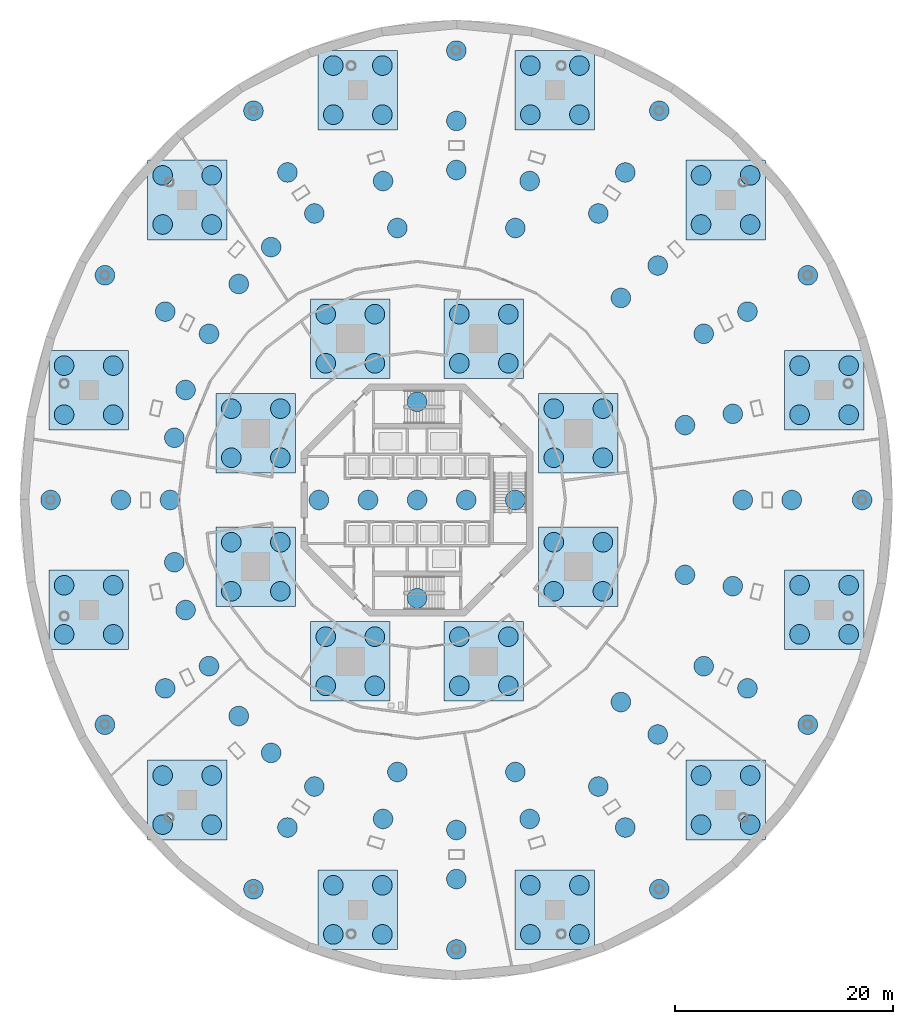
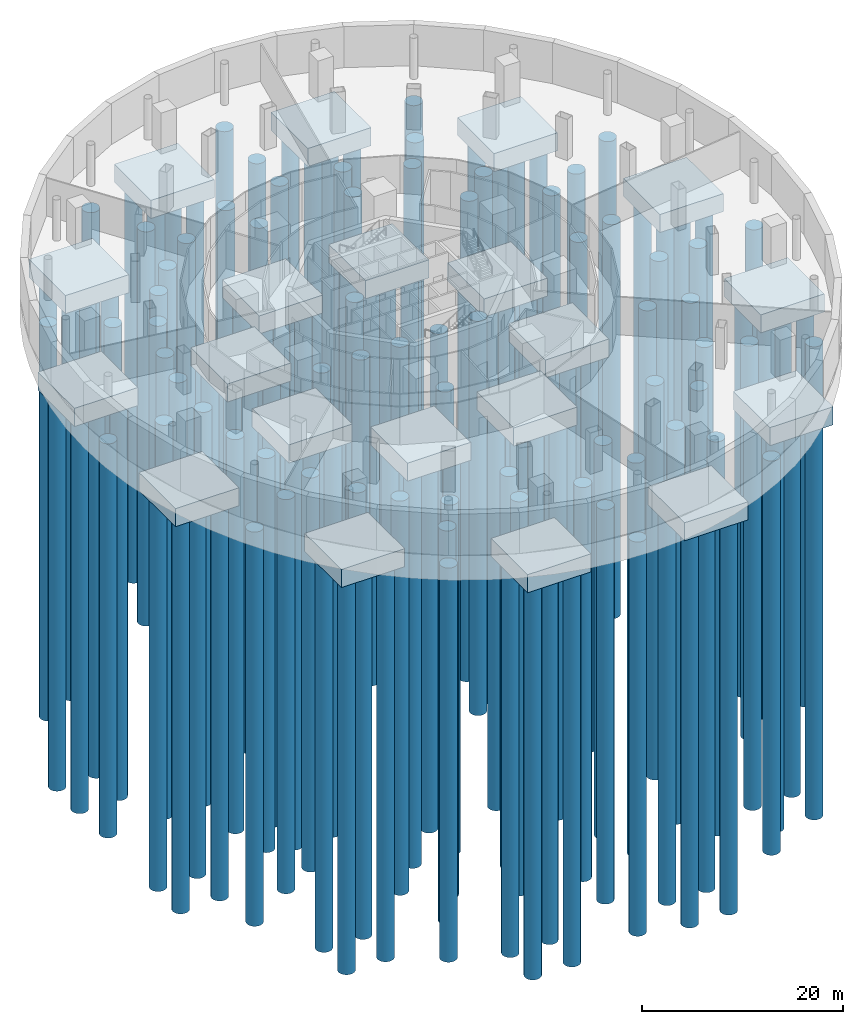
# One storey, part 1 of 14: 147 piles, 20 footings.
"""IFC4 building model written with IfcOpenShell, lengths in metres."""

from ifc_helpers import new_model, si_unit, direction, frame, origin, origin_2d, place, context, subcontext, project, spatial, rectangle, circle, extrude, material, material_profile, profile_set, type_object, element, save


model = new_model("IFC4")

# Units and contexts
model_context = context("Model", 3, precision=1e-05, world=origin(), true_north=direction((0.0, 1.0)))
body_context = subcontext(model_context, "Body", "Model", "MODEL_VIEW")
ifc_project = project(units=[si_unit("LENGTHUNIT", "METRE"), si_unit("AREAUNIT", "SQUARE_METRE"), si_unit("VOLUMEUNIT", "CUBIC_METRE"), si_unit("PLANEANGLEUNIT", "RADIAN"), si_unit("MASSUNIT", "GRAM", prefix="KILO")], contexts=[model_context])

# Site, building, storey
site_placement = place(None, origin())
site = spatial("IfcSite", under=ifc_project, at=site_placement, CompositionType="ELEMENT")
building_placement = place(site_placement, origin())
building = spatial("IfcBuilding", under=site, at=building_placement, Name="Nagisa Residences", CompositionType="ELEMENT")
storey_placement = place(building_placement, frame((0.0, 0.0, -10.0)))
storey = spatial("IfcBuildingStorey", under=building, at=storey_placement, Name="B2", CompositionType="ELEMENT", Elevation=-10.0)

# Piles
ifc_material_1 = material(Name="Concrete C40", Category="concrete")
ifc_material_profile = material_profile(ifc_material_1, circle(Radius=0.89990234375, at=origin_2d()), Name="Bored pile D1800")
ifc_profile_set = profile_set([ifc_material_profile], Name="Concrete C40")
pile_type = type_object("IfcPileType", Name="Bored pile D1800", PredefinedType="BORED", material=ifc_profile_set)
for number, where, z_axis, x_axis, name in (
    (1, (12.531982421875, 3.873046875, -5.050048828125), (0.0, 0.0, -1.0), (1.0, 0.0, 0.0), "pile:B2:001"),
    (2, (12.531982421875, 8.373046875, -5.050048828125), (0.0, 0.0, -1.0), (1.0, 0.0, 0.0), "pile:B2:002"),
    (3, (17.031982421875, 3.873046875, -5.050048828125), (0.0, 0.0, -1.0), (1.0, 0.0, 0.0), "pile:B2:003"),
    (4, (17.031982421875, 8.373046875, -5.050048828125), (0.0, 0.0, -1.0), (1.0, 0.0, 0.0), "pile:B2:004"),
    (5, (3.873046875, 12.531982421875, -5.050048828125), (0.0, 0.0, -1.0), (1.0, 0.0, 0.0), "pile:B2:005"),
    (6, (3.873046875, 17.031982421875, -5.050048828125), (0.0, 0.0, -1.0), (1.0, 0.0, 0.0), "pile:B2:006"),
    (7, (8.373046875, 12.531982421875, -5.050048828125), (0.0, 0.0, -1.0), (1.0, 0.0, 0.0), "pile:B2:007"),
    (8, (8.373046875, 17.031982421875, -5.050048828125), (0.0, 0.0, -1.0), (1.0, 0.0, 0.0), "pile:B2:008"),
    (9, (-8.373046875, 12.531982421875, -5.050048828125), (0.0, 0.0, -1.0), (1.0, 0.0, 0.0), "pile:B2:009"),
    (10, (-8.373046875, 17.031982421875, -5.050048828125), (0.0, 0.0, -1.0), (1.0, 0.0, 0.0), "pile:B2:010"),
    (11, (-3.873046875, 12.531982421875, -5.050048828125), (0.0, 0.0, -1.0), (1.0, 0.0, 0.0), "pile:B2:011"),
    (12, (-3.873046875, 17.031982421875, -5.050048828125), (0.0, 0.0, -1.0), (1.0, 0.0, 0.0), "pile:B2:012"),
    (13, (-17.031982421875, 3.873046875, -5.050048828125), (0.0, 0.0, -1.0), (1.0, 0.0, 0.0), "pile:B2:013"),
    (14, (-17.031982421875, 8.373046875, -5.050048828125), (0.0, 0.0, -1.0), (1.0, 0.0, 0.0), "pile:B2:014"),
    (15, (-12.531982421875, 3.873046875, -5.050048828125), (0.0, 0.0, -1.0), (1.0, 0.0, 0.0), "pile:B2:015"),
    (16, (-12.531982421875, 8.373046875, -5.050048828125), (0.0, 0.0, -1.0), (1.0, 0.0, 0.0), "pile:B2:016"),
    (17, (-17.031982421875, -8.373046875, -5.050048828125), (0.0, 0.0, -1.0), (1.0, 0.0, 0.0), "pile:B2:017"),
    (18, (-17.031982421875, -3.873046875, -5.050048828125), (0.0, 0.0, -1.0), (1.0, 0.0, 0.0), "pile:B2:018"),
    (19, (-12.531982421875, -8.373046875, -5.050048828125), (0.0, 0.0, -1.0), (1.0, 0.0, 0.0), "pile:B2:019"),
    (20, (-12.531982421875, -3.873046875, -5.050048828125), (0.0, 0.0, -1.0), (1.0, 0.0, 0.0), "pile:B2:020"),
    (21, (-8.373046875, -17.031982421875, -5.050048828125), (0.0, 0.0, -1.0), (1.0, 0.0, 0.0), "pile:B2:021"),
    (22, (-8.373046875, -12.531982421875, -5.050048828125), (0.0, 0.0, -1.0), (1.0, 0.0, 0.0), "pile:B2:022"),
    (23, (-3.873046875, -17.031982421875, -5.050048828125), (0.0, 0.0, -1.0), (1.0, 0.0, 0.0), "pile:B2:023"),
    (24, (-3.873046875, -12.531982421875, -5.050048828125), (0.0, 0.0, -1.0), (1.0, 0.0, 0.0), "pile:B2:024"),
    (25, (3.873046875, -17.031982421875, -5.050048828125), (0.0, 0.0, -1.0), (1.0, 0.0, 0.0), "pile:B2:025"),
    (26, (3.873046875, -12.531982421875, -5.050048828125), (0.0, 0.0, -1.0), (1.0, 0.0, 0.0), "pile:B2:026"),
    (27, (8.373046875, -17.031982421875, -5.050048828125), (0.0, 0.0, -1.0), (1.0, 0.0, 0.0), "pile:B2:027"),
    (28, (8.373046875, -12.531982421875, -5.050048828125), (0.0, 0.0, -1.0), (1.0, 0.0, 0.0), "pile:B2:028"),
    (29, (12.531982421875, -8.373046875, -5.050048828125), (0.0, 0.0, -1.0), (1.0, 0.0, 0.0), "pile:B2:029"),
    (30, (12.531982421875, -3.873046875, -5.050048828125), (0.0, 0.0, -1.0), (1.0, 0.0, 0.0), "pile:B2:030"),
    (31, (17.031982421875, -8.373046875, -5.050048828125), (0.0, 0.0, -1.0), (1.0, 0.0, 0.0), "pile:B2:031"),
    (32, (17.031982421875, -3.873046875, -5.050048828125), (0.0, 0.0, -1.0), (1.0, 0.0, 0.0), "pile:B2:032"),
    (33, (35.060791015625, 7.818115234375, -5.050048828125), (0.0, 0.0, -1.0), (1.0, 0.0, 0.0), "pile:B2:033"),
    (34, (35.060791015625, 12.318115234375, -5.050048828125), (0.0, 0.0, -1.0), (1.0, 0.0, 0.0), "pile:B2:034"),
    (35, (39.560791015625, 7.818115234375, -5.050048828125), (0.0, 0.0, -1.0), (1.0, 0.0, 0.0), "pile:B2:035"),
    (36, (39.560791015625, 12.318115234375, -5.050048828125), (0.0, 0.0, -1.0), (1.0, 0.0, 0.0), "pile:B2:036"),
    (37, (26.028076171875, 25.25634765625, -5.050048828125), (0.0, 0.0, -1.0), (1.0, 0.0, 0.0), "pile:B2:037"),
    (38, (26.028076171875, 29.75634765625, -5.050048828125), (0.0, 0.0, -1.0), (1.0, 0.0, 0.0), "pile:B2:038"),
    (39, (30.528076171875, 25.25634765625, -5.050048828125), (0.0, 0.0, -1.0), (1.0, 0.0, 0.0), "pile:B2:039"),
    (40, (30.528076171875, 29.75634765625, -5.050048828125), (0.0, 0.0, -1.0), (1.0, 0.0, 0.0), "pile:B2:040"),
    (41, (10.3828125, 35.324462890625, -5.050048828125), (0.0, 0.0, -1.0), (1.0, 0.0, 0.0), "pile:B2:041"),
    (42, (10.3828125, 39.824462890625, -5.050048828125), (0.0, 0.0, -1.0), (1.0, 0.0, 0.0), "pile:B2:042"),
    (43, (14.8828125, 35.324462890625, -5.050048828125), (0.0, 0.0, -1.0), (1.0, 0.0, 0.0), "pile:B2:043"),
    (44, (14.8828125, 39.824462890625, -5.050048828125), (0.0, 0.0, -1.0), (1.0, 0.0, 0.0), "pile:B2:044"),
    (45, (-7.682861328125, 35.324462890625, -5.050048828125), (0.0, 0.0, -1.0), (1.0, 0.0, 0.0), "pile:B2:045"),
    (46, (-7.682861328125, 39.824462890625, -5.050048828125), (0.0, 0.0, -1.0), (1.0, 0.0, 0.0), "pile:B2:046"),
    (47, (-3.182861328125, 35.324462890625, -5.050048828125), (0.0, 0.0, -1.0), (1.0, 0.0, 0.0), "pile:B2:047"),
    (48, (-3.182861328125, 39.824462890625, -5.050048828125), (0.0, 0.0, -1.0), (1.0, 0.0, 0.0), "pile:B2:048"),
    (49, (-23.328125, 25.25634765625, -5.050048828125), (0.0, 0.0, -1.0), (1.0, 0.0, 0.0), "pile:B2:049"),
    (50, (-23.328125, 29.75634765625, -5.050048828125), (0.0, 0.0, -1.0), (1.0, 0.0, 0.0), "pile:B2:050"),
    (51, (-18.828125, 25.25634765625, -5.050048828125), (0.0, 0.0, -1.0), (1.0, 0.0, 0.0), "pile:B2:051"),
    (52, (-18.828125, 29.75634765625, -5.050048828125), (0.0, 0.0, -1.0), (1.0, 0.0, 0.0), "pile:B2:052"),
    (53, (-32.36083984375, 7.818115234375, -5.050048828125), (0.0, 0.0, -1.0), (1.0, 0.0, 0.0), "pile:B2:053"),
    (54, (-32.36083984375, 12.318115234375, -5.050048828125), (0.0, 0.0, -1.0), (1.0, 0.0, 0.0), "pile:B2:054"),
    (55, (-27.86083984375, 7.818115234375, -5.050048828125), (0.0, 0.0, -1.0), (1.0, 0.0, 0.0), "pile:B2:055"),
    (56, (-27.86083984375, 12.318115234375, -5.050048828125), (0.0, 0.0, -1.0), (1.0, 0.0, 0.0), "pile:B2:056"),
    (57, (-32.36083984375, -12.318115234375, -5.050048828125), (0.0, 0.0, -1.0), (1.0, 0.0, 0.0), "pile:B2:057"),
    (58, (-32.36083984375, -7.818115234375, -5.050048828125), (0.0, 0.0, -1.0), (1.0, 0.0, 0.0), "pile:B2:058"),
    (59, (-27.86083984375, -12.318115234375, -5.050048828125), (0.0, 0.0, -1.0), (1.0, 0.0, 0.0), "pile:B2:059"),
    (60, (-27.86083984375, -7.818115234375, -5.050048828125), (0.0, 0.0, -1.0), (1.0, 0.0, 0.0), "pile:B2:060"),
    (61, (-23.328125, -29.75634765625, -5.050048828125), (0.0, 0.0, -1.0), (1.0, 0.0, 0.0), "pile:B2:061"),
    (62, (-23.328125, -25.25634765625, -5.050048828125), (0.0, 0.0, -1.0), (1.0, 0.0, 0.0), "pile:B2:062"),
    (63, (-18.828125, -29.75634765625, -5.050048828125), (0.0, 0.0, -1.0), (1.0, 0.0, 0.0), "pile:B2:063"),
    (64, (-18.828125, -25.25634765625, -5.050048828125), (0.0, 0.0, -1.0), (1.0, 0.0, 0.0), "pile:B2:064"),
    (65, (-7.682861328125, -39.824462890625, -5.050048828125), (0.0, 0.0, -1.0), (1.0, 0.0, 0.0), "pile:B2:065"),
    (66, (-7.682861328125, -35.324462890625, -5.050048828125), (0.0, 0.0, -1.0), (1.0, 0.0, 0.0), "pile:B2:066"),
    (67, (-3.182861328125, -39.824462890625, -5.050048828125), (0.0, 0.0, -1.0), (1.0, 0.0, 0.0), "pile:B2:067"),
    (68, (-3.182861328125, -35.324462890625, -5.050048828125), (0.0, 0.0, -1.0), (1.0, 0.0, 0.0), "pile:B2:068"),
    (69, (10.3828125, -39.824462890625, -5.050048828125), (0.0, 0.0, -1.0), (1.0, 0.0, 0.0), "pile:B2:069"),
    (70, (10.3828125, -35.324462890625, -5.050048828125), (0.0, 0.0, -1.0), (1.0, 0.0, 0.0), "pile:B2:070"),
    (71, (14.8828125, -39.824462890625, -5.050048828125), (0.0, 0.0, -1.0), (1.0, 0.0, 0.0), "pile:B2:071"),
    (72, (14.8828125, -35.324462890625, -5.050048828125), (0.0, 0.0, -1.0), (1.0, 0.0, 0.0), "pile:B2:072"),
    (73, (26.028076171875, -29.75634765625, -5.050048828125), (0.0, 0.0, -1.0), (1.0, 0.0, 0.0), "pile:B2:073"),
    (74, (26.028076171875, -25.25634765625, -5.050048828125), (0.0, 0.0, -1.0), (1.0, 0.0, 0.0), "pile:B2:074"),
    (75, (30.528076171875, -29.75634765625, -5.050048828125), (0.0, 0.0, -1.0), (1.0, 0.0, 0.0), "pile:B2:075"),
    (76, (30.528076171875, -25.25634765625, -5.050048828125), (0.0, 0.0, -1.0), (1.0, 0.0, 0.0), "pile:B2:076"),
    (77, (35.060791015625, -12.318115234375, -5.050048828125), (0.0, 0.0, -1.0), (1.0, 0.0, 0.0), "pile:B2:077"),
    (78, (35.060791015625, -7.818115234375, -5.050048828125), (0.0, 0.0, -1.0), (1.0, 0.0, 0.0), "pile:B2:078"),
    (79, (39.560791015625, -12.318115234375, -5.050048828125), (0.0, 0.0, -1.0), (1.0, 0.0, 0.0), "pile:B2:079"),
    (80, (39.560791015625, -7.818115234375, -5.050048828125), (0.0, 0.0, -1.0), (1.0, 0.0, 0.0), "pile:B2:080"),
    (81, (-9.0, 0.0, -2.85009765625), (0.0, 0.0, -1.0), (1.0, 0.0, 0.0), "pile:B2:081"),
    (82, (-4.5, 0.0, -2.85009765625), (0.0, 0.0, -1.0), (1.0, 0.0, 0.0), "pile:B2:082"),
    (83, (0.0, -9.0, -2.85009765625), (0.0, 0.0, -1.0), (1.0, 0.0, 0.0), "pile:B2:083"),
    (84, (0.0, 0.0, -2.85009765625), (0.0, 0.0, -1.0), (1.0, 0.0, 0.0), "pile:B2:084"),
    (85, (0.0, 9.0, -2.85009765625), (0.0, 0.0, -1.0), (1.0, 0.0, 0.0), "pile:B2:085"),
    (86, (4.5, 0.0, -2.85009765625), (0.0, 0.0, -1.0), (1.0, 0.0, 0.0), "pile:B2:086"),
    (87, (9.0, 0.0, -2.85009765625), (0.0, 0.0, -1.0), (1.0, 0.0, 0.0), "pile:B2:087"),
    (88, (29.85009765625, 0.0, -2.85009765625), (0.0, 0.0, -1.0), (1.0, 0.0, 0.0), "pile:B2:088"),
    (89, (34.35009765625, 0.0, -2.85009765625), (0.0, 0.0, -1.0), (1.0, 0.0, 0.0), "pile:B2:089"),
    (90, (28.938720703125, 7.89599609375, -2.85009765625), (0.0, 0.0, -1.0), (1.0, 0.0, 0.0), "pile:B2:090"),
    (91, (24.55859375, 6.864501953125, -2.85009765625), (0.0, 0.0, -1.0), (1.0, 0.0, 0.0), "pile:B2:091"),
    (92, (26.275146484375, 15.23193359375, -2.85009765625), (0.0, 0.0, -1.0), (1.0, 0.0, 0.0), "pile:B2:092"),
    (93, (30.288330078125, 17.26806640625, -2.85009765625), (0.0, 0.0, -1.0), (1.0, 0.0, 0.0), "pile:B2:093"),
    (94, (22.0625, 21.49560546875, -2.85009765625), (0.0, 0.0, -1.0), (1.0, 0.0, 0.0), "pile:B2:094"),
    (95, (18.68212890625, 18.525146484375, -2.85009765625), (0.0, 0.0, -1.0), (1.0, 0.0, 0.0), "pile:B2:095"),
    (96, (16.614501953125, 26.265380859375, -2.85009765625), (0.0, 0.0, -1.0), (1.0, 0.0, 0.0), "pile:B2:096"),
    (97, (19.08544921875, 30.0263671875, -2.85009765625), (0.0, 0.0, -1.0), (1.0, 0.0, 0.0), "pile:B2:097"),
    (98, (10.320068359375, 29.240478515625, -2.85009765625), (0.0, 0.0, -1.0), (1.0, 0.0, 0.0), "pile:B2:098"),
    (99, (9.0078125, 24.93603515625, -2.85009765625), (0.0, 0.0, -1.0), (1.0, 0.0, 0.0), "pile:B2:099"),
    (100, (3.60009765625, 30.25, -2.85009765625), (0.0, 0.0, -1.0), (1.0, 0.0, 0.0), "pile:B2:100"),
    (101, (3.60009765625, 34.75, -2.85009765625), (0.0, 0.0, -1.0), (1.0, 0.0, 0.0), "pile:B2:101"),
    (102, (-3.1201171875, 29.240478515625, -2.85009765625), (0.0, 0.0, -1.0), (1.0, 0.0, 0.0), "pile:B2:102"),
    (103, (-1.8076171875, 24.93603515625, -2.85009765625), (0.0, 0.0, -1.0), (1.0, 0.0, 0.0), "pile:B2:103"),
    (104, (-9.41455078125, 26.265380859375, -2.85009765625), (0.0, 0.0, -1.0), (1.0, 0.0, 0.0), "pile:B2:104"),
    (105, (-11.885498046875, 30.0263671875, -2.85009765625), (0.0, 0.0, -1.0), (1.0, 0.0, 0.0), "pile:B2:105"),
    (106, (-16.34765625, 19.8056640625, -2.85009765625), (0.0, 0.0, -1.0), (1.0, 0.0, 0.0), "pile:B2:106"),
    (107, (-13.377197265625, 23.185791015625, -2.85009765625), (0.0, 0.0, -1.0), (1.0, 0.0, 0.0), "pile:B2:107"),
    (108, (-19.0751953125, 15.23193359375, -2.85009765625), (0.0, 0.0, -1.0), (1.0, 0.0, 0.0), "pile:B2:108"),
    (109, (-23.088134765625, 17.26806640625, -2.85009765625), (0.0, 0.0, -1.0), (1.0, 0.0, 0.0), "pile:B2:109"),
    (110, (-22.25439453125, 5.705810546875, -2.85009765625), (0.0, 0.0, -1.0), (1.0, 0.0, 0.0), "pile:B2:110"),
    (111, (-21.22314453125, 10.0859375, -2.85009765625), (0.0, 0.0, -1.0), (1.0, 0.0, 0.0), "pile:B2:111"),
    (112, (-22.64990234375, 0.0, -2.85009765625), (0.0, 0.0, -1.0), (1.0, 0.0, 0.0), "pile:B2:112"),
    (113, (-27.14990234375, 0.0, -2.85009765625), (0.0, 0.0, -1.0), (1.0, 0.0, 0.0), "pile:B2:113"),
    (114, (-21.22314453125, -10.0859375, -2.85009765625), (0.0, 0.0, -1.0), (1.0, 0.0, 0.0), "pile:B2:114"),
    (115, (-22.25439453125, -5.705810546875, -2.85009765625), (0.0, 0.0, -1.0), (1.0, 0.0, 0.0), "pile:B2:115"),
    (116, (-19.0751953125, -15.23193359375, -2.85009765625), (0.0, 0.0, -1.0), (1.0, 0.0, 0.0), "pile:B2:116"),
    (117, (-23.088134765625, -17.26806640625, -2.85009765625), (0.0, 0.0, -1.0), (1.0, 0.0, 0.0), "pile:B2:117"),
    (118, (-13.377197265625, -23.185791015625, -2.85009765625), (0.0, 0.0, -1.0), (1.0, 0.0, 0.0), "pile:B2:118"),
    (119, (-16.34765625, -19.8056640625, -2.85009765625), (0.0, 0.0, -1.0), (1.0, 0.0, 0.0), "pile:B2:119"),
    (120, (-9.41455078125, -26.265380859375, -2.85009765625), (0.0, 0.0, -1.0), (1.0, 0.0, 0.0), "pile:B2:120"),
    (121, (-11.885498046875, -30.0263671875, -2.85009765625), (0.0, 0.0, -1.0), (1.0, 0.0, 0.0), "pile:B2:121"),
    (122, (-3.1201171875, -29.240478515625, -2.85009765625), (0.0, 0.0, -1.0), (1.0, 0.0, 0.0), "pile:B2:122"),
    (123, (-1.8076171875, -24.93603515625, -2.85009765625), (0.0, 0.0, -1.0), (1.0, 0.0, 0.0), "pile:B2:123"),
    (124, (3.60009765625, -30.25, -2.85009765625), (0.0, 0.0, -1.0), (1.0, 0.0, 0.0), "pile:B2:124"),
    (125, (3.60009765625, -34.75, -2.85009765625), (0.0, 0.0, -1.0), (1.0, 0.0, 0.0), "pile:B2:125"),
    (126, (10.320068359375, -29.240478515625, -2.85009765625), (0.0, 0.0, -1.0), (1.0, 0.0, 0.0), "pile:B2:126"),
    (127, (9.0078125, -24.93603515625, -2.85009765625), (0.0, 0.0, -1.0), (1.0, 0.0, 0.0), "pile:B2:127"),
    (128, (16.614501953125, -26.265380859375, -2.85009765625), (0.0, 0.0, -1.0), (1.0, 0.0, 0.0), "pile:B2:128"),
    (129, (19.08544921875, -30.0263671875, -2.85009765625), (0.0, 0.0, -1.0), (1.0, 0.0, 0.0), "pile:B2:129"),
    (130, (22.0625, -21.49560546875, -2.85009765625), (0.0, 0.0, -1.0), (1.0, 0.0, 0.0), "pile:B2:130"),
    (131, (18.68212890625, -18.525146484375, -2.85009765625), (0.0, 0.0, -1.0), (1.0, 0.0, 0.0), "pile:B2:131"),
    (132, (26.275146484375, -15.23193359375, -2.85009765625), (0.0, 0.0, -1.0), (1.0, 0.0, 0.0), "pile:B2:132"),
    (133, (30.288330078125, -17.26806640625, -2.85009765625), (0.0, 0.0, -1.0), (1.0, 0.0, 0.0), "pile:B2:133"),
    (134, (28.938720703125, -7.89599609375, -2.85009765625), (0.0, 0.0, -1.0), (1.0, 0.0, 0.0), "pile:B2:134"),
    (135, (24.55859375, -6.864501953125, -2.85009765625), (0.0, 0.0, -1.0), (1.0, 0.0, 0.0), "pile:B2:135"),
    (136, (40.800048828125, 0.0, -2.85009765625), (0.0, 0.0, -1.0), (1.0, 0.0, 0.0), "pile:B2:136"),
    (137, (35.816162109375, 20.60009765625, -2.85009765625), (0.0, 0.0, -1.0), (1.0, 0.0, 0.0), "pile:B2:137"),
    (138, (22.199951171875, 35.68017578125, -2.85009765625), (0.0, 0.0, -1.0), (1.0, 0.0, 0.0), "pile:B2:138"),
    (139, (3.60009765625, 41.199951171875, -2.85009765625), (0.0, 0.0, -1.0), (1.0, 0.0, 0.0), "pile:B2:139"),
    (140, (-15.0, 35.68017578125, -2.85009765625), (0.0, 0.0, -1.0), (1.0, 0.0, 0.0), "pile:B2:140"),
    (141, (-28.6162109375, 20.60009765625, -2.85009765625), (0.0, 0.0, -1.0), (1.0, 0.0, 0.0), "pile:B2:141"),
    (142, (-33.60009765625, 0.0, -2.85009765625), (0.0, 0.0, -1.0), (1.0, 0.0, 0.0), "pile:B2:142"),
    (143, (-28.6162109375, -20.60009765625, -2.85009765625), (0.0, 0.0, -1.0), (1.0, 0.0, 0.0), "pile:B2:143"),
    (144, (-15.0, -35.68017578125, -2.85009765625), (0.0, 0.0, -1.0), (1.0, 0.0, 0.0), "pile:B2:144"),
    (145, (3.60009765625, -41.199951171875, -2.85009765625), (0.0, 0.0, -1.0), (1.0, 0.0, 0.0), "pile:B2:145"),
    (146, (22.199951171875, -35.68017578125, -2.85009765625), (0.0, 0.0, -1.0), (1.0, 0.0, 0.0), "pile:B2:146"),
    (147, (35.816162109375, -20.60009765625, -2.85009765625), (0.0, 0.0, -1.0), (1.0, 0.0, 0.0), "pile:B2:147"),
):
    element("IfcPile", number, at=place(storey_placement, frame(where, z_axis=z_axis, x_axis=x_axis)), inside=storey, type_object=pile_type, Name=name, PredefinedType="BORED", context=body_context, shape_type="SweptSolid", body=[
        extrude(circle(Radius=0.89990234375, at=origin_2d()), origin(), (0.0, 0.0, 1.0), 48.0),
    ])

# Footings
ifc_material_2 = material(Name="Concrete C40", Category="concrete")
footing_type = type_object("IfcFootingType", Name="Pile cap 7300x7300x2200", PredefinedType="PILE_CAP", material=ifc_material_2)
for number, where, z_axis, x_axis, name in (
    (148, (14.781982421875, 6.123046875, -5.2001953125), (0.0, 0.0, 1.0), (1.0, 0.0, 0.0), "cap:B2:i1"),
    (149, (6.123046875, 14.781982421875, -5.2001953125), (0.0, 0.0, 1.0), (1.0, 0.0, 0.0), "cap:B2:i2"),
    (150, (-6.123046875, 14.781982421875, -5.2001953125), (0.0, 0.0, 1.0), (1.0, 0.0, 0.0), "cap:B2:i3"),
    (151, (-14.781982421875, 6.123046875, -5.2001953125), (0.0, 0.0, 1.0), (1.0, 0.0, 0.0), "cap:B2:i4"),
    (152, (-14.781982421875, -6.123046875, -5.2001953125), (0.0, 0.0, 1.0), (1.0, 0.0, 0.0), "cap:B2:i5"),
    (153, (-6.123046875, -14.781982421875, -5.2001953125), (0.0, 0.0, 1.0), (1.0, 0.0, 0.0), "cap:B2:i6"),
    (154, (6.123046875, -14.781982421875, -5.2001953125), (0.0, 0.0, 1.0), (1.0, 0.0, 0.0), "cap:B2:i7"),
    (155, (14.781982421875, -6.123046875, -5.2001953125), (0.0, 0.0, 1.0), (1.0, 0.0, 0.0), "cap:B2:i8"),
    (156, (37.310791015625, 10.068115234375, -5.2001953125), (0.0, 0.0, 1.0), (1.0, 0.0, 0.0), "cap:B2:f01"),
    (157, (28.278076171875, 27.50634765625, -5.2001953125), (0.0, 0.0, 1.0), (1.0, 0.0, 0.0), "cap:B2:f02"),
    (158, (12.6328125, 37.574462890625, -5.2001953125), (0.0, 0.0, 1.0), (1.0, 0.0, 0.0), "cap:B2:f03"),
    (159, (-5.432861328125, 37.574462890625, -5.2001953125), (0.0, 0.0, 1.0), (1.0, 0.0, 0.0), "cap:B2:f04"),
    (160, (-21.078125, 27.50634765625, -5.2001953125), (0.0, 0.0, 1.0), (1.0, 0.0, 0.0), "cap:B2:f05"),
    (161, (-30.11083984375, 10.068115234375, -5.2001953125), (0.0, 0.0, 1.0), (1.0, 0.0, 0.0), "cap:B2:f06"),
    (162, (-30.11083984375, -10.068115234375, -5.2001953125), (0.0, 0.0, 1.0), (1.0, 0.0, 0.0), "cap:B2:f07"),
    (163, (-21.078125, -27.50634765625, -5.2001953125), (0.0, 0.0, 1.0), (1.0, 0.0, 0.0), "cap:B2:f08"),
    (164, (-5.432861328125, -37.574462890625, -5.2001953125), (0.0, 0.0, 1.0), (1.0, 0.0, 0.0), "cap:B2:f09"),
    (165, (12.6328125, -37.574462890625, -5.2001953125), (0.0, 0.0, 1.0), (1.0, 0.0, 0.0), "cap:B2:f10"),
    (166, (28.278076171875, -27.50634765625, -5.2001953125), (0.0, 0.0, 1.0), (1.0, 0.0, 0.0), "cap:B2:f11"),
    (167, (37.310791015625, -10.068115234375, -5.2001953125), (0.0, 0.0, 1.0), (1.0, 0.0, 0.0), "cap:B2:f12"),
):
    element("IfcFooting", number, at=place(storey_placement, frame(where, z_axis=z_axis, x_axis=x_axis)), inside=storey, type_object=footing_type, Name=name, PredefinedType="PILE_CAP", context=body_context, shape_type="SweptSolid", body=[
        extrude(rectangle(XDim=7.300048828125, YDim=7.300048828125, at=origin_2d()), origin(), (0.0, 0.0, 1.0), 2.199951171875),
    ])

save(model, "model.ifc")
